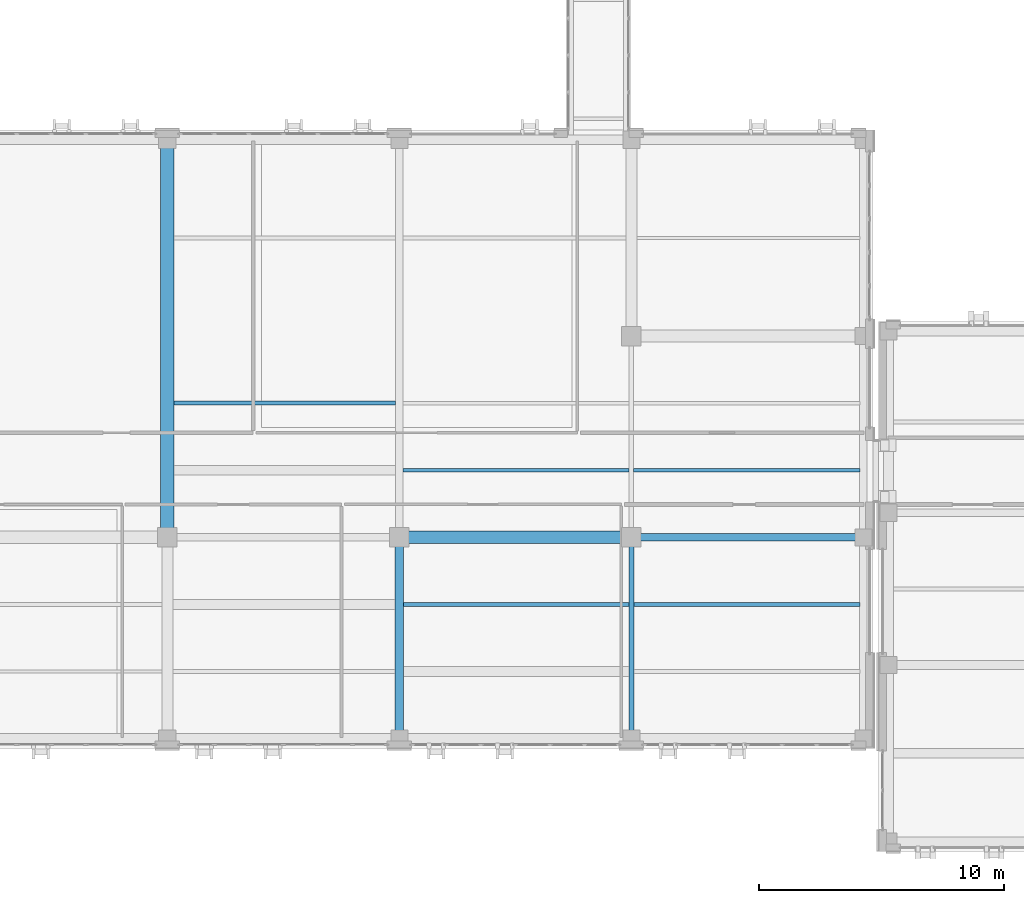
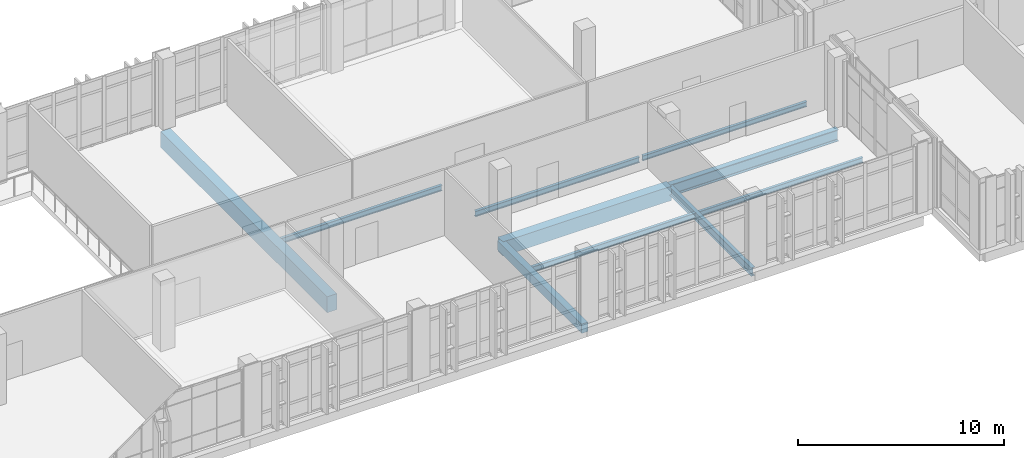
# One storey, part 38 of 193: 10 beams.
"""IFC4 building model written with IfcOpenShell, lengths in metres."""

from ifc_helpers import new_model, si_unit, direction, frame, origin, origin_2d, place, context, subcontext, project, spatial, rectangle, i_section, extrude, material, material_profile, profile_set, type_object, element, save


model = new_model("IFC4")

# Units and contexts
model_context = context("Model", 3, precision=1e-05, world=origin(), true_north=direction((0.0, 1.0)))
body_context = subcontext(model_context, "Body", "Model", "MODEL_VIEW")
ifc_project = project(units=[si_unit("LENGTHUNIT", "METRE"), si_unit("AREAUNIT", "SQUARE_METRE"), si_unit("VOLUMEUNIT", "CUBIC_METRE"), si_unit("PLANEANGLEUNIT", "RADIAN"), si_unit("MASSUNIT", "GRAM", prefix="KILO")], contexts=[model_context])

# Site, building, storey
site_placement = place(None, origin())
site = spatial("IfcSite", under=ifc_project, at=site_placement, CompositionType="ELEMENT")
building_placement = place(site_placement, origin())
building = spatial("IfcBuilding", under=site, at=building_placement, Name="Qalavern Law Courts", CompositionType="ELEMENT")
storey_placement = place(building_placement, frame((0.0, 0.0, 10.199951171875)))
storey = spatial("IfcBuildingStorey", under=building, at=storey_placement, Name="L02", CompositionType="ELEMENT", Elevation=10.199951171875)

# Beams
ifc_material_1 = material(Name="Steel S355", Category="steel")
ifc_material_profile_1 = material_profile(ifc_material_1, i_section(OverallWidth=0.300048828125, OverallDepth=0.699951171875, WebThickness=0.01708984375, FlangeThickness=0.031982421875, FilletRadius=0.027099609375, at=origin_2d()), Name="HEB 700")
ifc_profile_set_1 = profile_set([ifc_material_profile_1], Name="Steel S355")
beam_type_1 = type_object("IfcBeamType", Name="STR-BM-HEB700", PredefinedType="BEAM", material=ifc_profile_set_1)
beam_1_placement = place(storey_placement, frame((91.345703125, 13.800048828125, -0.639892578125), z_axis=(1.0, 0.0, 0.0), x_axis=(0.0, 1.0, 0.0)))
element("IfcBeam", 1, at=beam_1_placement, inside=storey, type_object=beam_type_1, Name="V2 X-beam 2-7 L02", PredefinedType="BEAM", context=body_context, shape_type="SweptSolid", body=[
    extrude(i_section(OverallWidth=0.300048828125, OverallDepth=0.699951171875, WebThickness=0.01708984375, FlangeThickness=0.031982421875, FilletRadius=0.027099609375, at=origin_2d()), origin(), (0.0, 0.0, 1.0), 9.454345703125),
])
ifc_material_profile_2 = material_profile(ifc_material_1, i_section(OverallWidth=0.199951171875, OverallDepth=0.5, WebThickness=0.01025390625, FlangeThickness=0.01611328125, FilletRadius=0.02099609375, at=origin_2d()), Name="IPE 500")
ifc_profile_set_2 = profile_set([ifc_material_profile_2], Name="Steel S355")
beam_type_2 = type_object("IfcBeamType", Name="STR-BM-IPE500", PredefinedType="BEAM", material=ifc_profile_set_2)
beam_2_placement = place(storey_placement, frame((91.345703125, 5.60009765625, -0.5400390625), z_axis=(0.0, 1.0, 0.0), x_axis=(-1.0, 0.0, 0.0)))
element("IfcBeam", 2, at=beam_2_placement, inside=storey, type_object=beam_type_2, Name="V2 Y-beam 7-1 L02", PredefinedType="BEAM", context=body_context, shape_type="SweptSolid", body=[
    extrude(i_section(OverallWidth=0.199951171875, OverallDepth=0.5, WebThickness=0.01025390625, FlangeThickness=0.01611328125, FilletRadius=0.02099609375, at=origin_2d()), origin(), (0.0, 0.0, 1.0), 8.199951171875),
])
ifc_material_2 = material(Name="Concrete C35/45", Category="concrete")
ifc_material_profile_3 = material_profile(ifc_material_2, rectangle(XDim=0.35009765625, YDim=0.550048828125, at=origin_2d()), Name="RC 350x550")
ifc_profile_set_3 = profile_set([ifc_material_profile_3], Name="Concrete C35/45")
beam_type_3 = type_object("IfcBeamType", Name="STR-BM-RC350x550", PredefinedType="BEAM", material=ifc_profile_set_3)
beam_3_placement = place(storey_placement, frame((81.891357421875, 5.60009765625, -0.56494140625), z_axis=(0.0, 1.0, 0.0), x_axis=(-1.0, 0.0, 0.0)))
element("IfcBeam", 3, at=beam_3_placement, inside=storey, type_object=beam_type_3, Name="V2 Y-beam 6-1 L02", PredefinedType="BEAM", context=body_context, shape_type="SweptSolid", body=[
    extrude(rectangle(XDim=0.35009765625, YDim=0.550048828125, at=origin_2d()), origin(), (0.0, 0.0, 1.0), 8.199951171875),
])
ifc_material_3 = material(Name="Concrete C40/50", Category="concrete")
ifc_material_profile_4 = material_profile(ifc_material_3, rectangle(XDim=0.5, YDim=0.85009765625, at=origin_2d()), Name="RC 500x850")
ifc_profile_set_4 = profile_set([ifc_material_profile_4], Name="Concrete C40/50")
beam_type_4 = type_object("IfcBeamType", Name="STR-BM-RC500x850", PredefinedType="BEAM", material=ifc_profile_set_4)
beam_4_placement = place(storey_placement, frame((81.891357421875, 13.800048828125, -0.71484375), z_axis=(1.0, 0.0, 0.0), x_axis=(0.0, 1.0, 0.0)))
element("IfcBeam", 4, at=beam_4_placement, inside=storey, type_object=beam_type_4, Name="V2 X-beam 2-6 L02", PredefinedType="BEAM", context=body_context, shape_type="SweptSolid", body=[
    extrude(rectangle(XDim=0.5, YDim=0.85009765625, at=origin_2d()), origin(), (0.0, 0.0, 1.0), 9.454345703125),
])
ifc_material_profile_5 = material_profile(ifc_material_3, rectangle(XDim=0.550048828125, YDim=0.949951171875, at=origin_2d()), Name="RC 550x950")
ifc_profile_set_5 = profile_set([ifc_material_profile_5], Name="Concrete C40/50")
beam_type_5 = type_object("IfcBeamType", Name="STR-BM-RC550x950", PredefinedType="BEAM", material=ifc_profile_set_5)
beam_5_placement = place(storey_placement, frame((72.43701171875, 13.800048828125, -0.764892578125), z_axis=(0.0, 1.0, 0.0), x_axis=(-1.0, 0.0, 0.0)))
element("IfcBeam", 5, at=beam_5_placement, inside=storey, type_object=beam_type_5, Name="V2 Y-beam 5-2 L02", PredefinedType="BEAM", context=body_context, shape_type="SweptSolid", body=[
    extrude(rectangle(XDim=0.550048828125, YDim=0.949951171875, at=origin_2d()), origin(), (0.0, 0.0, 1.0), 16.199951171875),
])
ifc_material_profile_6 = material_profile(ifc_material_1, i_section(OverallWidth=0.14990234375, OverallDepth=0.300048828125, WebThickness=0.007080078125, FlangeThickness=0.0107421875, FilletRadius=0.014892578125, at=origin_2d()), Name="IPE 300")
ifc_profile_set_6 = profile_set([ifc_material_profile_6], Name="Steel S355")
beam_type_6 = type_object("IfcBeamType", Name="STR-JST-IPE300", PredefinedType="JOIST", material=ifc_profile_set_6)
beam_6_placement = place(storey_placement, frame((91.443603515625, 11.066650390625, -0.43994140625), z_axis=(1.0, 0.0, 0.0), x_axis=(0.0, 1.0, 0.0)))
element("IfcBeam", 6, at=beam_6_placement, inside=storey, type_object=beam_type_6, Name="V2 secondary joist 7.1.2 L02", PredefinedType="JOIST", context=body_context, shape_type="SweptSolid", body=[
    extrude(i_section(OverallWidth=0.14990234375, OverallDepth=0.300048828125, WebThickness=0.007080078125, FlangeThickness=0.0107421875, FilletRadius=0.014892578125, at=origin_2d()), origin(), (0.0, 0.0, 1.0), 9.20849609375),
])
beam_7_placement = place(storey_placement, frame((91.43359375, 16.533203125, -0.43994140625), z_axis=(1.0, 0.0, 0.0), x_axis=(0.0, 1.0, 0.0)))
element("IfcBeam", 7, at=beam_7_placement, inside=storey, type_object=beam_type_6, Name="V2 secondary joist 7.2.1 L02", PredefinedType="JOIST", context=body_context, shape_type="SweptSolid", body=[
    extrude(i_section(OverallWidth=0.14990234375, OverallDepth=0.300048828125, WebThickness=0.007080078125, FlangeThickness=0.0107421875, FilletRadius=0.014892578125, at=origin_2d()), origin(), (0.0, 0.0, 1.0), 9.218505859375),
])
ifc_material_profile_7 = material_profile(ifc_material_1, i_section(OverallWidth=0.159912109375, OverallDepth=0.330078125, WebThickness=0.007568359375, FlangeThickness=0.011474609375, FilletRadius=0.01806640625, at=origin_2d()), Name="IPE 330")
ifc_profile_set_7 = profile_set([ifc_material_profile_7], Name="Steel S355")
beam_type_7 = type_object("IfcBeamType", Name="STR-JST-IPE330", PredefinedType="JOIST", material=ifc_profile_set_7)
beam_8_placement = place(storey_placement, frame((72.710205078125, 19.2666015625, -0.454833984375), z_axis=(1.0, 0.0, 0.0), x_axis=(0.0, 1.0, 0.0)))
element("IfcBeam", 8, at=beam_8_placement, inside=storey, type_object=beam_type_7, Name="V2 secondary joist 5.2.2 L02", PredefinedType="JOIST", context=body_context, shape_type="SweptSolid", body=[
    extrude(i_section(OverallWidth=0.159912109375, OverallDepth=0.330078125, WebThickness=0.007568359375, FlangeThickness=0.011474609375, FilletRadius=0.01806640625, at=origin_2d()), origin(), (0.0, 0.0, 1.0), 9.033203125),
])
beam_9_placement = place(storey_placement, frame((82.064453125, 11.066650390625, -0.454833984375), z_axis=(1.0, 0.0, 0.0), x_axis=(0.0, 1.0, 0.0)))
element("IfcBeam", 9, at=beam_9_placement, inside=storey, type_object=beam_type_7, Name="V2 secondary joist 6.1.2 L02", PredefinedType="JOIST", context=body_context, shape_type="SweptSolid", body=[
    extrude(i_section(OverallWidth=0.159912109375, OverallDepth=0.330078125, WebThickness=0.007568359375, FlangeThickness=0.011474609375, FilletRadius=0.01806640625, at=origin_2d()), origin(), (0.0, 0.0, 1.0), 9.183349609375),
])
beam_10_placement = place(storey_placement, frame((82.039306640625, 16.533203125, -0.454833984375), z_axis=(1.0, 0.0, 0.0), x_axis=(0.0, 1.0, 0.0)))
element("IfcBeam", 10, at=beam_10_placement, inside=storey, type_object=beam_type_7, Name="V2 secondary joist 6.2.1 L02", PredefinedType="JOIST", context=body_context, shape_type="SweptSolid", body=[
    extrude(i_section(OverallWidth=0.159912109375, OverallDepth=0.330078125, WebThickness=0.007568359375, FlangeThickness=0.011474609375, FilletRadius=0.01806640625, at=origin_2d()), origin(), (0.0, 0.0, 1.0), 9.218505859375),
])

save(model, "model.ifc")
